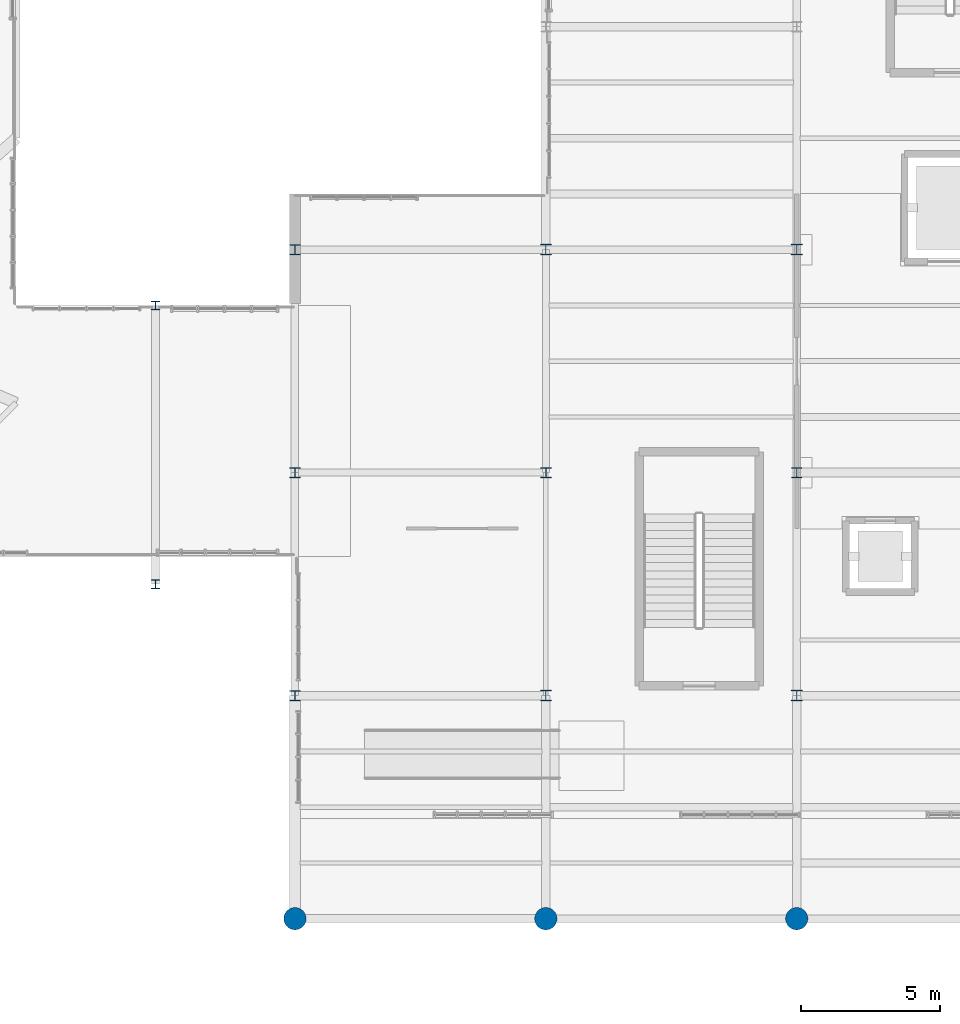
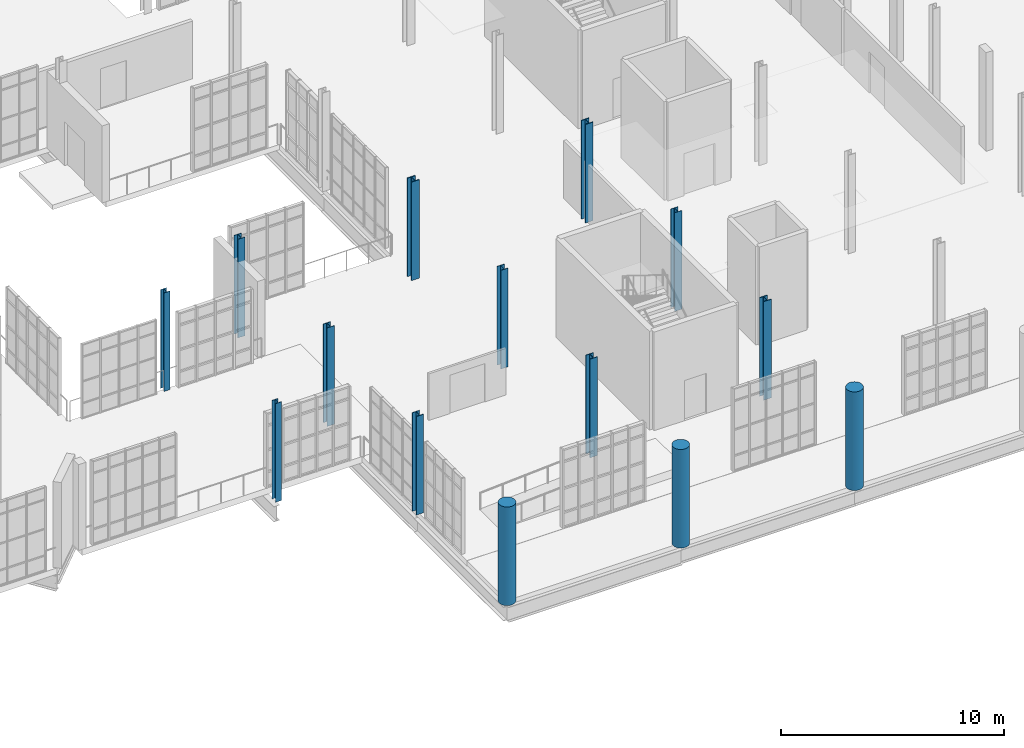
# One storey, part 6 of 189: 14 columns.
"""IFC4 building model written with IfcOpenShell, lengths in metres."""

from ifc_helpers import new_model, si_unit, direction, frame, origin, origin_2d, place, context, subcontext, project, spatial, circle, i_section, extrude, material, material_profile, profile_set, type_object, element, save


model = new_model("IFC4")

# Units and contexts
model_context = context("Model", 3, precision=1e-05, world=origin(), true_north=direction((0.0, 1.0)))
body_context = subcontext(model_context, "Body", "Model", "MODEL_VIEW")
ifc_project = project(units=[si_unit("LENGTHUNIT", "METRE"), si_unit("AREAUNIT", "SQUARE_METRE"), si_unit("VOLUMEUNIT", "CUBIC_METRE"), si_unit("PLANEANGLEUNIT", "RADIAN"), si_unit("MASSUNIT", "GRAM", prefix="KILO"), si_unit("THERMODYNAMICTEMPERATUREUNIT", "KELVIN"), si_unit("POWERUNIT", "WATT")], contexts=[model_context])

# Site, building, storey
site_placement = place(None, origin())
site = spatial("IfcSite", under=ifc_project, at=site_placement, CompositionType="ELEMENT")
building_placement = place(site_placement, origin())
building = spatial("IfcBuilding", under=site, at=building_placement, Name="Zelmaris Science Centre", CompositionType="ELEMENT")
storey_placement = place(building_placement, origin())
storey = spatial("IfcBuildingStorey", under=building, at=storey_placement, Name="L00", CompositionType="ELEMENT", Elevation=0.0)

# Columns
ifc_material_1 = material(Name="Steel ASTM A992 Grade 50", Category="steel")
ifc_material_profile_1 = material_profile(ifc_material_1, i_section(OverallWidth=0.40087890625, OverallDepth=0.39892578125, WebThickness=0.02490234375, FlangeThickness=0.03955078125, FilletRadius=0.014892578125, at=origin_2d()), Name="W14X211")
ifc_profile_set_1 = profile_set([ifc_material_profile_1], Name="Steel ASTM A992 Grade 50")
column_type_1 = type_object("IfcColumnType", Name="Column C-03 W14X211", PredefinedType="COLUMN", material=ifc_profile_set_1)
for number, where, z_axis, x_axis, name in (
    (1, (117.0, 16.0, 0.0), (0.0, 0.0, 1.0), (1.0, 0.0, 0.0), "Column V4-C-117-16 L00"),
    (2, (117.0, 32.0, 0.0), (0.0, 0.0, 1.0), (1.0, 0.0, 0.0), "Column V4-C-117-32 L00"),
    (3, (126.0, 16.0, 0.0), (0.0, 0.0, 1.0), (1.0, 0.0, 0.0), "Column V4-C-126-16 L00"),
    (4, (126.0, 32.0, 0.0), (0.0, 0.0, 1.0), (1.0, 0.0, 0.0), "Column V4-C-126-32 L00"),
):
    element("IfcColumn", number, at=place(storey_placement, frame(where, z_axis=z_axis, x_axis=x_axis)), inside=storey, type_object=column_type_1, Name=name, PredefinedType="COLUMN", context=body_context, shape_type="SweptSolid", body=[
        extrude(i_section(OverallWidth=0.40087890625, OverallDepth=0.39892578125, WebThickness=0.02490234375, FlangeThickness=0.03955078125, FilletRadius=0.014892578125, at=origin_2d()), origin(), (0.0, 0.0, 1.0), 5.39990234375),
    ])
ifc_material_profile_2 = material_profile(ifc_material_1, i_section(OverallWidth=0.373046875, OverallDepth=0.367919921875, WebThickness=0.014892578125, FlangeThickness=0.02392578125, FilletRadius=0.014892578125, at=origin_2d()), Name="W14X120")
ifc_profile_set_2 = profile_set([ifc_material_profile_2], Name="Steel ASTM A992 Grade 50")
column_type_2 = type_object("IfcColumnType", Name="Column C-06 W14X120", PredefinedType="COLUMN", material=ifc_profile_set_2)
for number, where, z_axis, x_axis, name in (
    (5, (108.0, 16.0, 0.0), (0.0, 0.0, 1.0), (1.0, 0.0, 0.0), "Column V4-C-108-16 L00"),
    (6, (108.0, 24.0, 0.0), (0.0, 0.0, 1.0), (1.0, 0.0, 0.0), "Column V4-C-108-24 L00"),
    (7, (108.0, 32.0, 0.0), (0.0, 0.0, 1.0), (1.0, 0.0, 0.0), "Column V4-C-108-32 L00"),
    (8, (117.0, 24.0, 0.0), (0.0, 0.0, 1.0), (1.0, 0.0, 0.0), "Column V4-C-117-24 L00"),
    (9, (126.0, 24.0, 0.0), (0.0, 0.0, 1.0), (1.0, 0.0, 0.0), "Column V4-C-126-24 L00"),
):
    element("IfcColumn", number, at=place(storey_placement, frame(where, z_axis=z_axis, x_axis=x_axis)), inside=storey, type_object=column_type_2, Name=name, PredefinedType="COLUMN", context=body_context, shape_type="SweptSolid", body=[
        extrude(i_section(OverallWidth=0.373046875, OverallDepth=0.367919921875, WebThickness=0.014892578125, FlangeThickness=0.02392578125, FilletRadius=0.014892578125, at=origin_2d()), origin(), (0.0, 0.0, 1.0), 5.39990234375),
    ])
ifc_material_profile_3 = material_profile(ifc_material_1, i_section(OverallWidth=0.306884765625, OverallDepth=0.31494140625, WebThickness=0.011962890625, FlangeThickness=0.018798828125, FilletRadius=0.012939453125, at=origin_2d()), Name="W12X79")
ifc_profile_set_3 = profile_set([ifc_material_profile_3], Name="Steel ASTM A992 Grade 50")
column_type_3 = type_object("IfcColumnType", Name="Column C-08 W12X79", PredefinedType="COLUMN", material=ifc_profile_set_3)
for number, where, z_axis, x_axis, name in (
    (10, (103.0, 20.0, 0.0), (0.0, 0.0, 1.0), (1.0, 0.0, 0.0), "Column LK-E-20 L00"),
    (11, (103.0, 30.0, 0.0), (0.0, 0.0, 1.0), (1.0, 0.0, 0.0), "Column LK-E-30 L00"),
):
    element("IfcColumn", number, at=place(storey_placement, frame(where, z_axis=z_axis, x_axis=x_axis)), inside=storey, type_object=column_type_3, Name=name, PredefinedType="COLUMN", context=body_context, shape_type="SweptSolid", body=[
        extrude(i_section(OverallWidth=0.306884765625, OverallDepth=0.31494140625, WebThickness=0.011962890625, FlangeThickness=0.018798828125, FilletRadius=0.012939453125, at=origin_2d()), origin(), (0.0, 0.0, 1.0), 5.39990234375),
    ])
ifc_material_2 = material(Name="Yucatan limestone ashlar masonry", Category="masonry")
ifc_material_profile_4 = material_profile(ifc_material_2, circle(Radius=0.39990234375, at=origin_2d()), Name="COL-LIM-D800")
ifc_profile_set_4 = profile_set([ifc_material_profile_4], Name="Yucatan limestone ashlar masonry")
column_type_4 = type_object("IfcColumnType", Name="Column C-17 COL-LIM-D800", PredefinedType="COLUMN", material=ifc_profile_set_4)
for number, where, z_axis, x_axis, name in (
    (12, (108.0, 8.0, 0.0), (0.0, 0.0, 1.0), (1.0, 0.0, 0.0), "Column V4-C-108-8 L00"),
    (13, (117.0, 8.0, 0.0), (0.0, 0.0, 1.0), (1.0, 0.0, 0.0), "Column V4-C-117-8 L00"),
    (14, (126.0, 8.0, 0.0), (0.0, 0.0, 1.0), (1.0, 0.0, 0.0), "Column V4-C-126-8 L00"),
):
    element("IfcColumn", number, at=place(storey_placement, frame(where, z_axis=z_axis, x_axis=x_axis)), inside=storey, type_object=column_type_4, Name=name, PredefinedType="COLUMN", context=body_context, shape_type="SweptSolid", body=[
        extrude(circle(Radius=0.39990234375, at=origin_2d()), origin(), (0.0, 0.0, 1.0), 5.39990234375),
    ])

save(model, "model.ifc")
